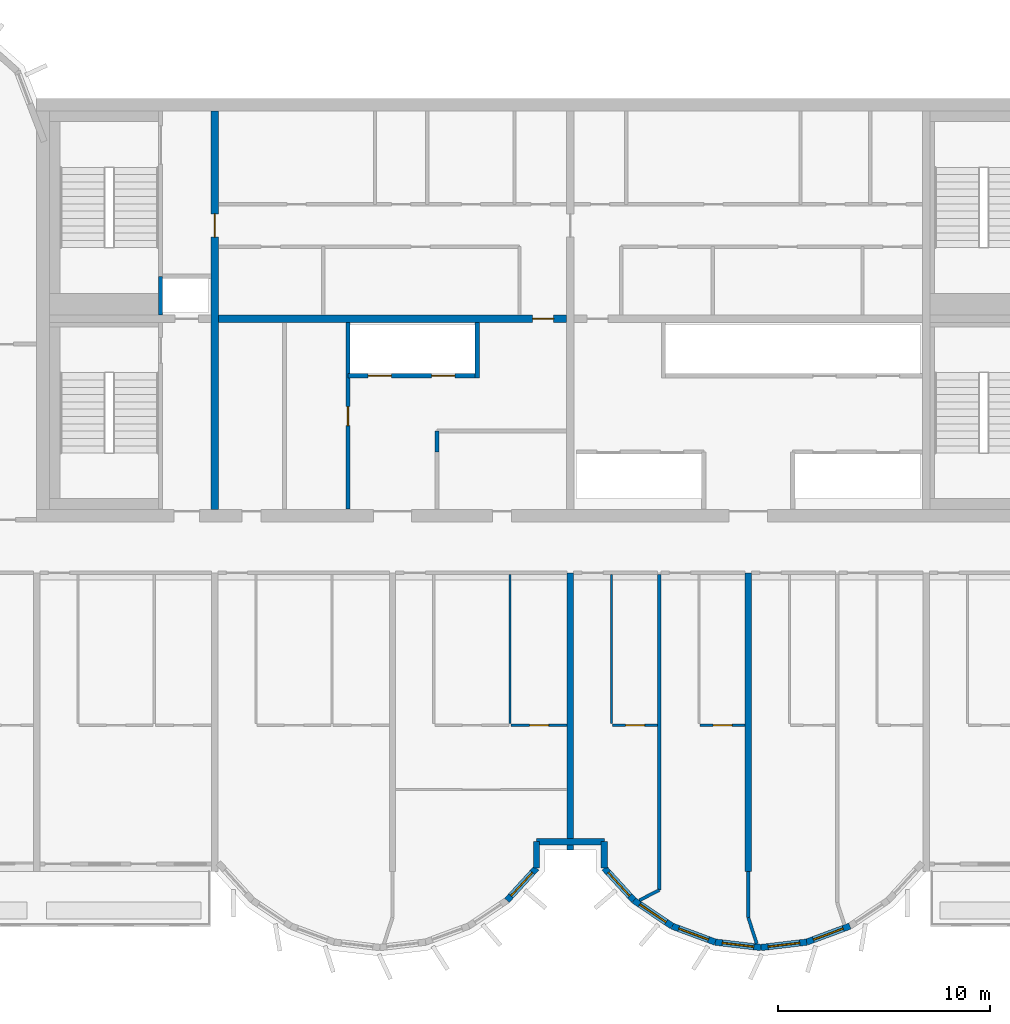
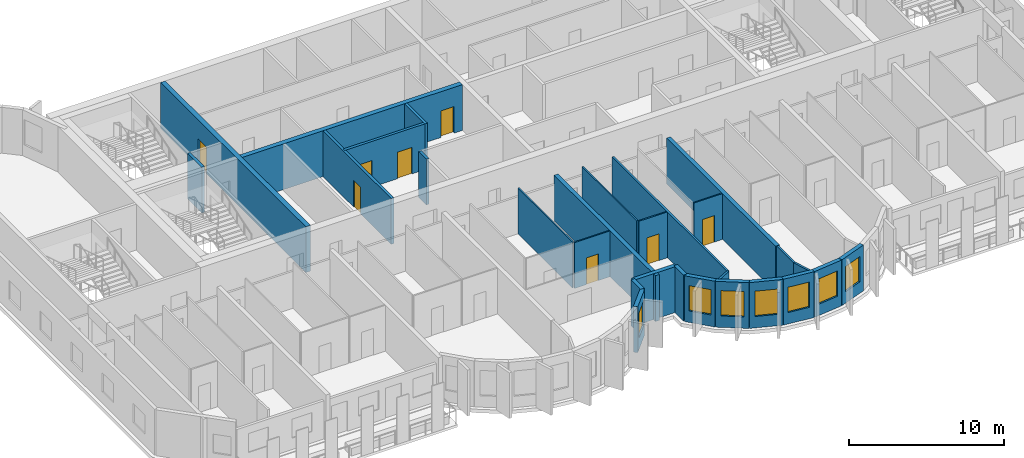
# One storey, part 4 of 11: 28 walls, 8 doors, 7 windows, 15 openings.
"""IFC4 building model written with IfcOpenShell, lengths in metres."""

from ifc_helpers import new_model, si_unit, direction, frame, frame_2d, origin, place, context, subcontext, project, spatial, rectangle, extrude, source, transform, mapped, material, layer, layer_set, type_object, element, fill, save


model = new_model("IFC4")

# Units and contexts
model_context = context("Model", 3, precision=1e-05, world=origin(), true_north=direction((0.0, 1.0)))
body_context = subcontext(model_context, "Body", "Model", "MODEL_VIEW")
ifc_project = project(units=[si_unit("LENGTHUNIT", "METRE"), si_unit("AREAUNIT", "SQUARE_METRE"), si_unit("VOLUMEUNIT", "CUBIC_METRE"), si_unit("PLANEANGLEUNIT", "RADIAN"), si_unit("MASSUNIT", "GRAM", prefix="KILO")], contexts=[model_context])

# Site, building, storey
site_placement = place(None, origin())
site = spatial("IfcSite", under=ifc_project, at=site_placement, CompositionType="ELEMENT")
building_placement = place(site_placement, origin())
building = spatial("IfcBuilding", under=site, at=building_placement, Name="Vanashikhar Sky Hotel", CompositionType="ELEMENT")
storey_placement = place(building_placement, frame((0.0, 0.0, 217.89990234375)))
storey = spatial("IfcBuildingStorey", under=building, at=storey_placement, Name="L52", CompositionType="ELEMENT", Elevation=217.89990234375)

# Wall, opening, door
ifc_material_1 = material(Name="Concrete M60", Category="concrete")
ifc_layer_1 = layer(ifc_material_1, 0.35009765625)
ifc_layer_set_1 = layer_set([ifc_layer_1], Name="RC core inner wall 350 Concrete M60")
wall_type_1 = type_object("IfcWallType", Name="RC core inner wall 350 Concrete M60", PredefinedType="SHEAR", material=ifc_layer_set_1)
shared_shape_1 = source(origin(), body_context, "Body", "SweptSolid", [
    extrude(rectangle(XDim=18.7998046875, YDim=0.35009765625, at=frame_2d((9.39990234375, 0.0))), origin(), (0.0, 0.0, 1.0), 3.6201171875),
])
wall_1_placement = place(storey_placement, frame((33.60009765625, 22.60009765625, 0.0), z_axis=(0.0, 0.0, 1.0), x_axis=(0.0, 1.0, 0.0)))
wall_1 = element("IfcWall", 1, at=wall_1_placement, inside=storey, type_object=wall_type_1, Name="KW-L52-KX1", PredefinedType="SHEAR", context=body_context, shape_type="MappedRepresentation", body=[
    mapped(shared_shape_1, transform((0.0, 0.0, 0.0), scale=1.0)),
])
shared_shape_2 = source(origin(), body_context, "Body", "SweptSolid", [
    extrude(rectangle(XDim=1.10009765625, YDim=2.10009765625, at=frame_2d((0.550048828125, 1.050048828125))), frame((0.0, 0.18505859375, 0.0), z_axis=(0.0, -1.0, 0.0), x_axis=(1.0, 0.0, 0.0)), (0.0, 0.0, 1.0), 0.3701171875),
])
opening_1_placement = place(wall_1_placement, frame((12.85009765625, 0.0, 0.0)))
opening_1 = element("IfcOpeningElement", 2, at=opening_1_placement, cuts=wall_1, Name="Opening DC-4-C", PredefinedType="OPENING", context=body_context, shape_type="MappedRepresentation", body=[
    mapped(shared_shape_2, transform((0.0, 0.0, 0.0), scale=1.0)),
])
ifc_material_2 = material(Name="Steel", Category="steel")
door_type_1 = type_object("IfcDoorType", Name="Service door 1100 FD60", OperationType="NOTDEFINED", PredefinedType="DOOR", material=ifc_material_2)
shared_shape_3 = source(origin(), body_context, "Body", "SweptSolid", [
    extrude(rectangle(XDim=1.10009765625, YDim=2.10009765625, at=frame_2d((0.550048828125, 1.050048828125))), frame((0.0, 0.02490234375, 0.0), z_axis=(0.0, -1.0, 0.0), x_axis=(1.0, 0.0, 0.0)), (0.0, 0.0, 1.0), 0.050048828125),
])
door_1_placement = place(opening_1_placement, origin())
door_1 = element("IfcDoor", 3, at=door_1_placement, inside=storey, type_object=door_type_1, Name="Service door 1100 FD60", OperationType="SINGLE_SWING_RIGHT", OverallHeight=2.10009765625, OverallWidth=1.10009765625, PredefinedType="DOOR", context=body_context, shape_type="MappedRepresentation", body=[
    mapped(shared_shape_3, transform((0.0, 0.0, 0.0), scale=1.0)),
])
fill(opening_1, door_1)

shared_shape_4 = source(origin(), body_context, "Body", "SweptSolid", [
    extrude(rectangle(XDim=16.4501953125, YDim=0.35009765625, at=frame_2d((8.22509765625, 0.0))), origin(), (0.0, 0.0, 1.0), 3.6201171875),
])
wall_2_placement = place(storey_placement, frame((33.77490234375, 31.60009765625, 0.0), z_axis=(0.0, 0.0, 1.0), x_axis=(1.0, 0.0, 0.0)))
wall_2 = element("IfcWall", 4, at=wall_2_placement, inside=storey, type_object=wall_type_1, Name="KW-L52-KY2", PredefinedType="SHEAR", context=body_context, shape_type="MappedRepresentation", body=[
    mapped(shared_shape_4, transform((0.0, 0.0, 0.0), scale=1.0)),
])
shared_shape_5 = source(origin(), body_context, "Body", "SweptSolid", [
    extrude(rectangle(XDim=1.0, YDim=2.10009765625, at=frame_2d((0.5, 1.050048828125))), frame((0.0, 0.18505859375, 0.0), z_axis=(0.0, -1.0, 0.0), x_axis=(1.0, 0.0, 0.0)), (0.0, 0.0, 1.0), 0.3701171875),
])
opening_2_placement = place(wall_2_placement, frame((14.8369140625, 0.0, 0.0)))
opening_2 = element("IfcOpeningElement", 5, at=opening_2_placement, cuts=wall_2, Name="Opening DC-4", PredefinedType="OPENING", context=body_context, shape_type="MappedRepresentation", body=[
    mapped(shared_shape_5, transform((0.0, 0.0, 0.0), scale=1.0)),
])
door_type_2 = type_object("IfcDoorType", Name="Service door 1000 FD60", OperationType="NOTDEFINED", PredefinedType="DOOR", material=ifc_material_2)
shared_shape_6 = source(origin(), body_context, "Body", "SweptSolid", [
    extrude(rectangle(XDim=1.0, YDim=2.10009765625, at=frame_2d((0.5, 1.050048828125))), frame((0.0, 0.02490234375, 0.0), z_axis=(0.0, -1.0, 0.0), x_axis=(1.0, 0.0, 0.0)), (0.0, 0.0, 1.0), 0.050048828125),
])
door_2_placement = place(opening_2_placement, origin())
door_2 = element("IfcDoor", 6, at=door_2_placement, inside=storey, type_object=door_type_2, Name="Service door 1000 FD60", OperationType="SINGLE_SWING_LEFT", OverallHeight=2.10009765625, OverallWidth=1.0, PredefinedType="DOOR", context=body_context, shape_type="MappedRepresentation", body=[
    mapped(shared_shape_6, transform((0.0, 0.0, 0.0), scale=1.0)),
])
fill(opening_2, door_2)

# Walls
ifc_layer_2 = layer(ifc_material_1, 0.300048828125)
ifc_layer_set_2 = layer_set([ifc_layer_2], Name="RC shear wall 300 Concrete M60")
wall_type_2 = type_object("IfcWallType", Name="RC shear wall 300 Concrete M60", PredefinedType="SHEAR", material=ifc_layer_set_2)
shared_shape_7 = source(origin(), body_context, "Body", "SweptSolid", [
    extrude(rectangle(XDim=14.10009765625, YDim=0.300048828125, at=frame_2d((7.050048828125, 0.0))), origin(), (0.0, 0.0, 1.0), 3.6201171875),
])
wall_3_placement = place(storey_placement, frame((58.800048828125, 5.5, 0.0), z_axis=(0.0, 0.0, 1.0), x_axis=(0.0, 1.0, 0.0)))
element("IfcWall", 7, at=wall_3_placement, inside=storey, type_object=wall_type_2, Name="CW-L52-XW08-1", PredefinedType="SHEAR", context=body_context, shape_type="MappedRepresentation", body=[
    mapped(shared_shape_7, transform((0.0, 0.0, 0.0), scale=1.0)),
])
shared_shape_8 = source(origin(), body_context, "Body", "SweptSolid", [
    extrude(rectangle(XDim=13.10009765625, YDim=0.300048828125, at=frame_2d((6.550048828125, 0.0))), origin(), (0.0, 0.0, 1.0), 3.6201171875),
])
wall_4_placement = place(storey_placement, frame((50.39990234375, 6.5, 0.0), z_axis=(0.0, 0.0, 1.0), x_axis=(0.0, 1.0, 0.0)))
element("IfcWall", 8, at=wall_4_placement, inside=storey, type_object=wall_type_2, Name="CW-L52-XW07-1", PredefinedType="SHEAR", context=body_context, shape_type="MappedRepresentation", body=[
    mapped(shared_shape_8, transform((0.0, 0.0, 0.0), scale=1.0)),
])

# Wall, opening, window
ifc_material_3 = material(Name="Concrete M50", Category="concrete")
ifc_layer_3 = layer(ifc_material_3, 0.300048828125)
ifc_layer_set_3 = layer_set([ifc_layer_3], Name="Lobe wall 300")
wall_type_3 = type_object("IfcWallType", Name="Lobe wall 300", PredefinedType="SOLIDWALL", material=ifc_layer_set_3)
shared_shape_9 = source(origin(), body_context, "Body", "SweptSolid", [
    extrude(rectangle(XDim=2.17578125, YDim=0.300048828125, at=frame_2d((1.087890625, 0.0))), origin(), (0.0, 0.0, 1.0), 3.6201171875),
])
wall_5_placement = place(storey_placement, frame((53.395751953125, 4.13134765625, 0.0), z_axis=(0.0, 0.0, 1.0), x_axis=(0.829590746428, -0.558371913192, 0.0)))
wall_5 = element("IfcWall", 9, at=wall_5_placement, inside=storey, type_object=wall_type_3, Name="Lobe wall", PredefinedType="SOLIDWALL", context=body_context, shape_type="MappedRepresentation", body=[
    mapped(shared_shape_9, transform((0.0, 0.0, 0.0), scale=1.0)),
])
shared_shape_10 = source(origin(), body_context, "Body", "SweptSolid", [
    extrude(rectangle(XDim=1.5, YDim=2.0, at=frame_2d((0.75, 1.0))), frame((0.0, 0.16015625, 0.0), z_axis=(0.0, -1.0, 0.0), x_axis=(1.0, 0.0, 0.0)), (0.0, 0.0, 1.0), 0.320068359375),
])
opening_3_placement = place(wall_5_placement, frame((0.337890625, 0.0, 0.89990234375)))
opening_3 = element("IfcOpeningElement", 10, at=opening_3_placement, cuts=wall_5, Name="Opening WN-2", PredefinedType="OPENING", context=body_context, shape_type="MappedRepresentation", body=[
    mapped(shared_shape_10, transform((0.0, 0.0, 0.0), scale=1.0)),
])
ifc_material_4 = material(Name="Glass", Category="glass")
window_type = type_object("IfcWindowType", Name="Lobe window 1500 x 2000", PartitioningType="SINGLE_PANEL", PredefinedType="WINDOW", material=ifc_material_4)
shared_shape_11 = source(origin(), body_context, "Body", "SweptSolid", [
    extrude(rectangle(XDim=1.5, YDim=2.0, at=frame_2d((0.75, 1.0))), frame((0.0, 0.030029296875, 0.0), z_axis=(0.0, -1.0, 0.0), x_axis=(1.0, 0.0, 0.0)), (0.0, 0.0, 1.0), 0.06005859375),
])
window_1_placement = place(opening_3_placement, origin())
window_1 = element("IfcWindow", 11, at=window_1_placement, inside=storey, type_object=window_type, Name="Window WN-2", OverallHeight=2.0, OverallWidth=1.5, PartitioningType="SINGLE_PANEL", PredefinedType="WINDOW", context=body_context, shape_type="MappedRepresentation", body=[
    mapped(shared_shape_11, transform((0.0, 0.0, 0.0), scale=1.0)),
])
fill(opening_3, window_1)

wall_6_placement = place(storey_placement, frame((55.20068359375, 2.91650390625, 0.0), z_axis=(0.0, 0.0, 1.0), x_axis=(0.93754555999, -0.347862505801, 0.0)))
wall_6 = element("IfcWall", 12, at=wall_6_placement, inside=storey, type_object=wall_type_3, Name="Lobe wall", PredefinedType="SOLIDWALL", context=body_context, shape_type="MappedRepresentation", body=[
    mapped(shared_shape_9, transform((0.0, 0.0, 0.0), scale=1.0)),
])
opening_4_placement = place(wall_6_placement, frame((0.337890625, 0.0, 0.89990234375)))
opening_4 = element("IfcOpeningElement", 13, at=opening_4_placement, cuts=wall_6, Name="Opening WN-2", PredefinedType="OPENING", context=body_context, shape_type="MappedRepresentation", body=[
    mapped(shared_shape_10, transform((0.0, 0.0, 0.0), scale=1.0)),
])
window_2_placement = place(opening_4_placement, origin())
window_2 = element("IfcWindow", 14, at=window_2_placement, inside=storey, type_object=window_type, Name="Window WN-2", OverallHeight=2.0, OverallWidth=1.5, PartitioningType="SINGLE_PANEL", PredefinedType="WINDOW", context=body_context, shape_type="MappedRepresentation", body=[
    mapped(shared_shape_11, transform((0.0, 0.0, 0.0), scale=1.0)),
])
fill(opening_4, window_2)

shared_shape_12 = source(origin(), body_context, "Body", "SweptSolid", [
    extrude(rectangle(XDim=2.174560546875, YDim=0.300048828125, at=frame_2d((1.08740234375, 0.0))), origin(), (0.0, 0.0, 1.0), 3.6201171875),
])
wall_7_placement = place(storey_placement, frame((57.240478515625, 2.15966796875, 0.0), z_axis=(0.0, 0.0, 1.0), x_axis=(0.993001132889, -0.118104826659, 0.0)))
wall_7 = element("IfcWall", 15, at=wall_7_placement, inside=storey, type_object=wall_type_3, Name="Lobe wall", PredefinedType="SOLIDWALL", context=body_context, shape_type="MappedRepresentation", body=[
    mapped(shared_shape_12, transform((0.0, 0.0, 0.0), scale=1.0)),
])
opening_5_placement = place(wall_7_placement, frame((0.33740234375, 0.0, 0.89990234375)))
opening_5 = element("IfcOpeningElement", 16, at=opening_5_placement, cuts=wall_7, Name="Opening WN-2", PredefinedType="OPENING", context=body_context, shape_type="MappedRepresentation", body=[
    mapped(shared_shape_10, transform((0.0, 0.0, 0.0), scale=1.0)),
])
window_3_placement = place(opening_5_placement, origin())
window_3 = element("IfcWindow", 17, at=window_3_placement, inside=storey, type_object=window_type, Name="Window WN-2", OverallHeight=2.0, OverallWidth=1.5, PartitioningType="SINGLE_PANEL", PredefinedType="WINDOW", context=body_context, shape_type="MappedRepresentation", body=[
    mapped(shared_shape_11, transform((0.0, 0.0, 0.0), scale=1.0)),
])
fill(opening_5, window_3)

shared_shape_13 = source(origin(), body_context, "Body", "SweptSolid", [
    extrude(rectangle(XDim=2.1748046875, YDim=0.300048828125, at=frame_2d((1.08740234375, 0.0))), origin(), (0.0, 0.0, 1.0), 3.6201171875),
])
wall_8_placement = place(storey_placement, frame((59.39990234375, 1.90283203125, 0.0), z_axis=(0.0, 0.0, 1.0), x_axis=(0.993002698611, 0.118091661648, 0.0)))
wall_8 = element("IfcWall", 18, at=wall_8_placement, inside=storey, type_object=wall_type_3, Name="Lobe wall", PredefinedType="SOLIDWALL", context=body_context, shape_type="MappedRepresentation", body=[
    mapped(shared_shape_13, transform((0.0, 0.0, 0.0), scale=1.0)),
])
opening_6_placement = place(wall_8_placement, frame((0.33740234375, 0.0, 0.89990234375)))
opening_6 = element("IfcOpeningElement", 19, at=opening_6_placement, cuts=wall_8, Name="Opening WN-2", PredefinedType="OPENING", context=body_context, shape_type="MappedRepresentation", body=[
    mapped(shared_shape_10, transform((0.0, 0.0, 0.0), scale=1.0)),
])
window_4_placement = place(opening_6_placement, origin())
window_4 = element("IfcWindow", 20, at=window_4_placement, inside=storey, type_object=window_type, Name="Window WN-2", OverallHeight=2.0, OverallWidth=1.5, PartitioningType="SINGLE_PANEL", PredefinedType="WINDOW", context=body_context, shape_type="MappedRepresentation", body=[
    mapped(shared_shape_11, transform((0.0, 0.0, 0.0), scale=1.0)),
])
fill(opening_6, window_4)

shared_shape_14 = source(origin(), body_context, "Body", "SweptSolid", [
    extrude(rectangle(XDim=2.175537109375, YDim=0.300048828125, at=frame_2d((1.087890625, 0.0))), origin(), (0.0, 0.0, 1.0), 3.6201171875),
])
wall_9_placement = place(storey_placement, frame((61.5595703125, 2.15966796875, 0.0), z_axis=(0.0, 0.0, 1.0), x_axis=(0.937531979054, 0.347899106424, 0.0)))
wall_9 = element("IfcWall", 21, at=wall_9_placement, inside=storey, type_object=wall_type_3, Name="Lobe wall", PredefinedType="SOLIDWALL", context=body_context, shape_type="MappedRepresentation", body=[
    mapped(shared_shape_14, transform((0.0, 0.0, 0.0), scale=1.0)),
])
opening_7_placement = place(wall_9_placement, frame((0.337890625, 0.0, 0.89990234375)))
opening_7 = element("IfcOpeningElement", 22, at=opening_7_placement, cuts=wall_9, Name="Opening WN-2", PredefinedType="OPENING", context=body_context, shape_type="MappedRepresentation", body=[
    mapped(shared_shape_10, transform((0.0, 0.0, 0.0), scale=1.0)),
])
window_5_placement = place(opening_7_placement, origin())
window_5 = element("IfcWindow", 23, at=window_5_placement, inside=storey, type_object=window_type, Name="Window WN-2", OverallHeight=2.0, OverallWidth=1.5, PartitioningType="SINGLE_PANEL", PredefinedType="WINDOW", context=body_context, shape_type="MappedRepresentation", body=[
    mapped(shared_shape_11, transform((0.0, 0.0, 0.0), scale=1.0)),
])
fill(opening_7, window_5)

shared_shape_15 = source(origin(), body_context, "Body", "SweptSolid", [
    extrude(rectangle(XDim=2.066650390625, YDim=0.300048828125, at=frame_2d((1.033203125, 0.0))), origin(), (0.0, 0.0, 1.0), 3.6201171875),
])
wall_10_placement = place(storey_placement, frame((47.404296875, 4.13134765625, 0.0), z_axis=(0.0, 0.0, 1.0), x_axis=(0.675355439877, 0.737492393065, 0.0)))
wall_10 = element("IfcWall", 24, at=wall_10_placement, inside=storey, type_object=wall_type_3, Name="Lobe wall", PredefinedType="SOLIDWALL", context=body_context, shape_type="MappedRepresentation", body=[
    mapped(shared_shape_15, transform((0.0, 0.0, 0.0), scale=1.0)),
])
opening_8_placement = place(wall_10_placement, frame((0.283447265625, 0.0, 0.89990234375)))
opening_8 = element("IfcOpeningElement", 25, at=opening_8_placement, cuts=wall_10, Name="Opening WN-2", PredefinedType="OPENING", context=body_context, shape_type="MappedRepresentation", body=[
    mapped(shared_shape_10, transform((0.0, 0.0, 0.0), scale=1.0)),
])
window_6_placement = place(opening_8_placement, origin())
window_6 = element("IfcWindow", 26, at=window_6_placement, inside=storey, type_object=window_type, Name="Window WN-2", OverallHeight=2.0, OverallWidth=1.5, PartitioningType="SINGLE_PANEL", PredefinedType="WINDOW", context=body_context, shape_type="MappedRepresentation", body=[
    mapped(shared_shape_11, transform((0.0, 0.0, 0.0), scale=1.0)),
])
fill(opening_8, window_6)

wall_11_placement = place(storey_placement, frame((52.0, 5.655517578125, 0.0), z_axis=(0.0, 0.0, 1.0), x_axis=(0.675355439877, -0.737492393065, 0.0)))
wall_11 = element("IfcWall", 27, at=wall_11_placement, inside=storey, type_object=wall_type_3, Name="Lobe wall", PredefinedType="SOLIDWALL", context=body_context, shape_type="MappedRepresentation", body=[
    mapped(shared_shape_15, transform((0.0, 0.0, 0.0), scale=1.0)),
])
opening_9_placement = place(wall_11_placement, frame((0.283447265625, 0.0, 0.89990234375)))
opening_9 = element("IfcOpeningElement", 28, at=opening_9_placement, cuts=wall_11, Name="Opening WN-2", PredefinedType="OPENING", context=body_context, shape_type="MappedRepresentation", body=[
    mapped(shared_shape_10, transform((0.0, 0.0, 0.0), scale=1.0)),
])
window_7_placement = place(opening_9_placement, origin())
window_7 = element("IfcWindow", 29, at=window_7_placement, inside=storey, type_object=window_type, Name="Window WN-2", OverallHeight=2.0, OverallWidth=1.5, PartitioningType="SINGLE_PANEL", PredefinedType="WINDOW", context=body_context, shape_type="MappedRepresentation", body=[
    mapped(shared_shape_11, transform((0.0, 0.0, 0.0), scale=1.0)),
])
fill(opening_9, window_7)

# Walls
shared_shape_16 = source(origin(), body_context, "Body", "SweptSolid", [
    extrude(rectangle(XDim=1.244384765625, YDim=0.300048828125, at=frame_2d((0.6220703125, 0.0))), origin(), (0.0, 0.0, 1.0), 3.6201171875),
])
for number, where, z_axis, x_axis, name in (
    (30, (48.800048828125, 5.655517578125, 0.0), (0.0, 0.0, 1.0), (0.0, 1.0, 0.0), "Groove wall"),
    (31, (52.0, 6.89990234375, 0.0), (0.0, 0.0, 1.0), (0.0, -1.0, 0.0), "Groove wall"),
):
    element("IfcWall", number, at=place(storey_placement, frame(where, z_axis=z_axis, x_axis=x_axis)), inside=storey, type_object=wall_type_3, Name=name, PredefinedType="SOLIDWALL", context=body_context, shape_type="MappedRepresentation", body=[
        mapped(shared_shape_16, transform((0.0, 0.0, 0.0), scale=1.0)),
    ])
shared_shape_17 = source(origin(), body_context, "Body", "SweptSolid", [
    extrude(rectangle(XDim=3.199951171875, YDim=0.300048828125, at=frame_2d((1.60009765625, 0.0))), origin(), (0.0, 0.0, 1.0), 3.6201171875),
])
wall_12_placement = place(storey_placement, frame((48.800048828125, 6.89990234375, 0.0), z_axis=(0.0, 0.0, 1.0), x_axis=(1.0, 0.0, 0.0)))
element("IfcWall", 32, at=wall_12_placement, inside=storey, type_object=wall_type_3, Name="Groove wall", PredefinedType="SOLIDWALL", context=body_context, shape_type="MappedRepresentation", body=[
    mapped(shared_shape_17, transform((0.0, 0.0, 0.0), scale=1.0)),
])

# Wall, openings, doors
ifc_material_5 = material(Name="Concrete M40", Category="concrete")
ifc_layer_4 = layer(ifc_material_5, 0.199951171875)
ifc_layer_set_4 = layer_set([ifc_layer_4], Name="Shaft wall 200")
wall_type_4 = type_object("IfcWallType", Name="Shaft wall 200", PredefinedType="SOLIDWALL", material=ifc_layer_set_4)
shared_shape_18 = source(origin(), body_context, "Body", "SweptSolid", [
    extrude(rectangle(XDim=6.0, YDim=0.199951171875, at=frame_2d((3.0, 0.0))), origin(), (0.0, 0.0, 1.0), 3.6201171875),
])
wall_13_placement = place(storey_placement, frame((39.89990234375, 28.89990234375, 0.0), z_axis=(0.0, 0.0, 1.0), x_axis=(1.0, 0.0, 0.0)))
wall_13 = element("IfcWall", 33, at=wall_13_placement, inside=storey, type_object=wall_type_4, Name="Shaft wall 200", PredefinedType="SOLIDWALL", context=body_context, shape_type="MappedRepresentation", body=[
    mapped(shared_shape_18, transform((0.0, 0.0, 0.0), scale=1.0)),
])
shared_shape_19 = source(origin(), body_context, "Body", "SweptSolid", [
    extrude(rectangle(XDim=1.10009765625, YDim=2.10009765625, at=frame_2d((0.550048828125, 1.050048828125))), frame((0.0, 0.10986328125, 0.0), z_axis=(0.0, -1.0, 0.0), x_axis=(1.0, 0.0, 0.0)), (0.0, 0.0, 1.0), 0.219970703125),
])
opening_10_placement = place(wall_13_placement, frame((0.949951171875, 0.0, 0.0)))
opening_10 = element("IfcOpeningElement", 34, at=opening_10_placement, cuts=wall_13, Name="Opening LD", PredefinedType="OPENING", context=body_context, shape_type="MappedRepresentation", body=[
    mapped(shared_shape_19, transform((0.0, 0.0, 0.0), scale=1.0)),
])
opening_11_placement = place(wall_13_placement, frame((3.949951171875, 0.0, 0.0)))
opening_11 = element("IfcOpeningElement", 35, at=opening_11_placement, cuts=wall_13, Name="Opening LD", PredefinedType="OPENING", context=body_context, shape_type="MappedRepresentation", body=[
    mapped(shared_shape_19, transform((0.0, 0.0, 0.0), scale=1.0)),
])
ifc_material_6 = material(Name="Stainless steel", Category="steel")
door_type_3 = type_object("IfcDoorType", Name="Lift landing door 1100", OperationType="NOTDEFINED", PredefinedType="DOOR", material=ifc_material_6)
door_3_placement = place(opening_10_placement, origin())
door_3 = element("IfcDoor", 36, at=door_3_placement, inside=storey, type_object=door_type_3, Name="Lift landing door 1100", OperationType="SLIDING_TO_LEFT", OverallHeight=2.10009765625, OverallWidth=1.10009765625, PredefinedType="DOOR", context=body_context, shape_type="MappedRepresentation", body=[
    mapped(shared_shape_3, transform((0.0, 0.0, 0.0), scale=1.0)),
])
fill(opening_10, door_3)
door_4_placement = place(opening_11_placement, origin())
door_4 = element("IfcDoor", 37, at=door_4_placement, inside=storey, type_object=door_type_3, Name="Lift landing door 1100", OperationType="SLIDING_TO_RIGHT", OverallHeight=2.10009765625, OverallWidth=1.10009765625, PredefinedType="DOOR", context=body_context, shape_type="MappedRepresentation", body=[
    mapped(shared_shape_3, transform((0.0, 0.0, 0.0), scale=1.0)),
])
fill(opening_11, door_4)

# Wall, opening, door
ifc_material_7 = material(Name="Gypsum board partition")
ifc_layer_5 = layer(ifc_material_7, 0.14990234375)
ifc_layer_set_5 = layer_set([ifc_layer_5], Name="Service partition 150")
wall_type_5 = type_object("IfcWallType", Name="Service partition 150", PredefinedType="PARTITIONING", material=ifc_layer_set_5)
shared_shape_20 = source(origin(), body_context, "Body", "SweptSolid", [
    extrude(rectangle(XDim=8.824951171875, YDim=0.199951171875, at=frame_2d((4.41259765625, 0.0))), origin(), (0.0, 0.0, 1.0), 3.6201171875),
])
wall_14_placement = place(storey_placement, frame((39.89990234375, 22.60009765625, 0.0), z_axis=(0.0, 0.0, 1.0), x_axis=(0.0, 1.0, 0.0)))
wall_14 = element("IfcWall", 38, at=wall_14_placement, inside=storey, type_object=wall_type_5, Name="Service partition 150", PredefinedType="PARTITIONING", context=body_context, shape_type="MappedRepresentation", body=[
    mapped(shared_shape_20, transform((0.0, 0.0, 0.0), scale=1.0)),
])
shared_shape_21 = source(origin(), body_context, "Body", "SweptSolid", [
    extrude(rectangle(XDim=0.89990234375, YDim=2.10009765625, at=frame_2d((0.449951171875, 1.050048828125))), frame((0.0, 0.10986328125, 0.0), z_axis=(0.0, -1.0, 0.0), x_axis=(1.0, 0.0, 0.0)), (0.0, 0.0, 1.0), 0.219970703125),
])
opening_12_placement = place(wall_14_placement, frame((3.949951171875, 0.0, 0.0)))
opening_12 = element("IfcOpeningElement", 39, at=opening_12_placement, cuts=wall_14, Name="Opening DC-4-A", PredefinedType="OPENING", context=body_context, shape_type="MappedRepresentation", body=[
    mapped(shared_shape_21, transform((0.0, 0.0, 0.0), scale=1.0)),
])
door_type_4 = type_object("IfcDoorType", Name="Service door 900 FD60", OperationType="NOTDEFINED", PredefinedType="DOOR", material=ifc_material_2)
shared_shape_22 = source(origin(), body_context, "Body", "SweptSolid", [
    extrude(rectangle(XDim=0.89990234375, YDim=2.10009765625, at=frame_2d((0.449951171875, 1.050048828125))), frame((0.0, 0.02490234375, 0.0), z_axis=(0.0, -1.0, 0.0), x_axis=(1.0, 0.0, 0.0)), (0.0, 0.0, 1.0), 0.050048828125),
])
door_5_placement = place(opening_12_placement, origin())
door_5 = element("IfcDoor", 40, at=door_5_placement, inside=storey, type_object=door_type_4, Name="Service door 900 FD60", OperationType="SINGLE_SWING_LEFT", OverallHeight=2.10009765625, OverallWidth=0.89990234375, PredefinedType="DOOR", context=body_context, shape_type="MappedRepresentation", body=[
    mapped(shared_shape_22, transform((0.0, 0.0, 0.0), scale=1.0)),
])
fill(opening_12, door_5)

# Walls
shared_shape_23 = source(origin(), body_context, "Body", "SweptSolid", [
    extrude(rectangle(XDim=2.625, YDim=0.199951171875, at=frame_2d((1.3125, 0.0))), origin(), (0.0, 0.0, 1.0), 3.6201171875),
])
wall_15_placement = place(storey_placement, frame((46.0, 28.800048828125, 0.0), z_axis=(0.0, 0.0, 1.0), x_axis=(0.0, 1.0, 0.0)))
element("IfcWall", 41, at=wall_15_placement, inside=storey, type_object=wall_type_4, Name="Shaft wall 200", PredefinedType="SOLIDWALL", context=body_context, shape_type="MappedRepresentation", body=[
    mapped(shared_shape_23, transform((0.0, 0.0, 0.0), scale=1.0)),
])
shared_shape_24 = source(origin(), body_context, "Body", "SweptSolid", [
    extrude(rectangle(XDim=1.0, YDim=0.199951171875, at=frame_2d((0.5, 0.0))), origin(), (0.0, 0.0, 1.0), 3.6201171875),
])
wall_16_placement = place(storey_placement, frame((44.10009765625, 25.300048828125, 0.0), z_axis=(0.0, 0.0, 1.0), x_axis=(0.0, 1.0, 0.0)))
element("IfcWall", 42, at=wall_16_placement, inside=storey, type_object=wall_type_5, Name="Service partition 150", PredefinedType="PARTITIONING", context=body_context, shape_type="MappedRepresentation", body=[
    mapped(shared_shape_24, transform((0.0, 0.0, 0.0), scale=1.0)),
])
shared_shape_25 = source(origin(), body_context, "Body", "SweptSolid", [
    extrude(rectangle(XDim=1.8251953125, YDim=0.199951171875, at=frame_2d((0.91259765625, 0.0))), origin(), (0.0, 0.0, 1.0), 3.6201171875),
])
wall_17_placement = place(storey_placement, frame((31.050048828125, 31.77490234375, 0.0), z_axis=(0.0, 0.0, 1.0), x_axis=(0.0, 1.0, 0.0)))
element("IfcWall", 43, at=wall_17_placement, inside=storey, type_object=wall_type_4, Name="Shaft wall 200", PredefinedType="SOLIDWALL", context=body_context, shape_type="MappedRepresentation", body=[
    mapped(shared_shape_25, transform((0.0, 0.0, 0.0), scale=1.0)),
])
ifc_material_8 = material(Name="Gypsum plasterboard partition")
ifc_layer_6 = layer(ifc_material_8, 0.10009765625)
ifc_layer_set_6 = layer_set([ifc_layer_6], Name="Wet room partition 100")
wall_type_6 = type_object("IfcWallType", Name="Wet room partition 100", PredefinedType="PARTITIONING", material=ifc_layer_set_6)
shared_shape_26 = source(origin(), body_context, "Body", "SweptSolid", [
    extrude(rectangle(XDim=7.0498046875, YDim=0.10009765625, at=frame_2d((3.52490234375, 0.0))), origin(), (0.0, 0.0, 1.0), 3.6201171875),
])
for number, where, z_axis, x_axis, name in (
    (44, (47.550048828125, 12.47509765625, 0.0), (0.0, 0.0, 1.0), (0.0, 1.0, 0.0), "W-L52-PW019"),
    (45, (52.35009765625, 12.47509765625, 0.0), (0.0, 0.0, 1.0), (0.0, 1.0, 0.0), "W-L52-PW024"),
):
    element("IfcWall", number, at=place(storey_placement, frame(where, z_axis=z_axis, x_axis=x_axis)), inside=storey, type_object=wall_type_6, Name=name, PredefinedType="PARTITIONING", context=body_context, shape_type="MappedRepresentation", body=[
        mapped(shared_shape_26, transform((0.0, 0.0, 0.0), scale=1.0)),
    ])

# Wall, opening, door
shared_shape_27 = source(origin(), body_context, "Body", "SweptSolid", [
    extrude(rectangle(XDim=2.125, YDim=0.10009765625, at=frame_2d((1.0625, 0.0))), origin(), (0.0, 0.0, 1.0), 3.6201171875),
])
wall_18_placement = place(storey_placement, frame((52.39990234375, 12.39990234375, 0.0), z_axis=(0.0, 0.0, 1.0), x_axis=(1.0, 0.0, 0.0)))
wall_18 = element("IfcWall", 46, at=wall_18_placement, inside=storey, type_object=wall_type_6, Name="W-L52-PW025", PredefinedType="PARTITIONING", context=body_context, shape_type="MappedRepresentation", body=[
    mapped(shared_shape_27, transform((0.0, 0.0, 0.0), scale=1.0)),
])
shared_shape_28 = source(origin(), body_context, "Body", "SweptSolid", [
    extrude(rectangle(XDim=0.89990234375, YDim=2.10009765625, at=frame_2d((0.449951171875, 1.050048828125))), frame((0.0, 0.06005859375, 0.0), z_axis=(0.0, -1.0, 0.0), x_axis=(1.0, 0.0, 0.0)), (0.0, 0.0, 1.0), 0.1201171875),
])
opening_13_placement = place(wall_18_placement, frame((0.612060546875, 0.0, 0.0)))
opening_13 = element("IfcOpeningElement", 47, at=opening_13_placement, cuts=wall_18, Name="Opening D-02", PredefinedType="OPENING", context=body_context, shape_type="MappedRepresentation", body=[
    mapped(shared_shape_28, transform((0.0, 0.0, 0.0), scale=1.0)),
])
ifc_material_9 = material(Name="Timber door", Category="wood")
door_type_5 = type_object("IfcDoorType", Name="Internal door 900", OperationType="NOTDEFINED", PredefinedType="DOOR", material=ifc_material_9)
door_6_placement = place(opening_13_placement, origin())
door_6 = element("IfcDoor", 48, at=door_6_placement, inside=storey, type_object=door_type_5, Name="D-L52-015", OperationType="SINGLE_SWING_LEFT", OverallHeight=2.10009765625, OverallWidth=0.89990234375, PredefinedType="DOOR", context=body_context, shape_type="MappedRepresentation", body=[
    mapped(shared_shape_22, transform((0.0, 0.0, 0.0), scale=1.0)),
])
fill(opening_13, door_6)

wall_19_placement = place(storey_placement, frame((56.52490234375, 12.39990234375, 0.0), z_axis=(0.0, 0.0, 1.0), x_axis=(1.0, 0.0, 0.0)))
wall_19 = element("IfcWall", 49, at=wall_19_placement, inside=storey, type_object=wall_type_6, Name="W-L52-PW028", PredefinedType="PARTITIONING", context=body_context, shape_type="MappedRepresentation", body=[
    mapped(shared_shape_27, transform((0.0, 0.0, 0.0), scale=1.0)),
])
opening_14_placement = place(wall_19_placement, frame((0.612060546875, 0.0, 0.0)))
opening_14 = element("IfcOpeningElement", 50, at=opening_14_placement, cuts=wall_19, Name="Opening D-02", PredefinedType="OPENING", context=body_context, shape_type="MappedRepresentation", body=[
    mapped(shared_shape_28, transform((0.0, 0.0, 0.0), scale=1.0)),
])
door_7_placement = place(opening_14_placement, origin())
door_7 = element("IfcDoor", 51, at=door_7_placement, inside=storey, type_object=door_type_5, Name="D-L52-017", OperationType="SINGLE_SWING_LEFT", OverallHeight=2.10009765625, OverallWidth=0.89990234375, PredefinedType="DOOR", context=body_context, shape_type="MappedRepresentation", body=[
    mapped(shared_shape_22, transform((0.0, 0.0, 0.0), scale=1.0)),
])
fill(opening_14, door_7)

shared_shape_29 = source(origin(), body_context, "Body", "SweptSolid", [
    extrude(rectangle(XDim=2.64990234375, YDim=0.10009765625, at=frame_2d((1.324951171875, 0.0))), origin(), (0.0, 0.0, 1.0), 3.6201171875),
])
wall_20_placement = place(storey_placement, frame((47.60009765625, 12.39990234375, 0.0), z_axis=(0.0, 0.0, 1.0), x_axis=(1.0, 0.0, 0.0)))
wall_20 = element("IfcWall", 52, at=wall_20_placement, inside=storey, type_object=wall_type_6, Name="W-L52-PW021", PredefinedType="PARTITIONING", context=body_context, shape_type="MappedRepresentation", body=[
    mapped(shared_shape_29, transform((0.0, 0.0, 0.0), scale=1.0)),
])
opening_15_placement = place(wall_20_placement, frame((0.875, 0.0, 0.0)))
opening_15 = element("IfcOpeningElement", 53, at=opening_15_placement, cuts=wall_20, Name="Opening D-02", PredefinedType="OPENING", context=body_context, shape_type="MappedRepresentation", body=[
    mapped(shared_shape_28, transform((0.0, 0.0, 0.0), scale=1.0)),
])
door_8_placement = place(opening_15_placement, origin())
door_8 = element("IfcDoor", 54, at=door_8_placement, inside=storey, type_object=door_type_5, Name="D-L52-012", OperationType="SINGLE_SWING_LEFT", OverallHeight=2.10009765625, OverallWidth=0.89990234375, PredefinedType="DOOR", context=body_context, shape_type="MappedRepresentation", body=[
    mapped(shared_shape_22, transform((0.0, 0.0, 0.0), scale=1.0)),
])
fill(opening_15, door_8)

# Walls
ifc_layer_7 = layer(ifc_material_8, 0.14990234375)
ifc_layer_set_7 = layer_set([ifc_layer_7], Name="Corridor and demising partition 150")
wall_type_7 = type_object("IfcWallType", Name="Corridor and demising partition 150", PredefinedType="PARTITIONING", material=ifc_layer_set_7)
shared_shape_30 = source(origin(), body_context, "Body", "SweptSolid", [
    extrude(rectangle(XDim=14.906005859375, YDim=0.14990234375, at=frame_2d((7.453125, 0.0))), origin(), (0.0, 0.0, 1.0), 3.6201171875),
])
wall_21_placement = place(storey_placement, frame((54.60009765625, 4.618896484375, 0.0), z_axis=(0.0, 0.0, 1.0), x_axis=(0.0, 1.0, 0.0)))
element("IfcWall", 55, at=wall_21_placement, inside=storey, type_object=wall_type_7, Name="W-L52-PW030", PredefinedType="PARTITIONING", context=body_context, shape_type="MappedRepresentation", body=[
    mapped(shared_shape_30, transform((0.0, 0.0, 0.0), scale=1.0)),
])
shared_shape_31 = source(origin(), body_context, "Body", "SweptSolid", [
    extrude(rectangle(XDim=2.177978515625, YDim=0.14990234375, at=frame_2d((1.0888671875, 0.0))), origin(), (0.0, 0.0, 1.0), 3.6201171875),
])
wall_22_placement = place(storey_placement, frame((58.800048828125, 3.322021484375, 0.0), z_axis=(0.0, 0.0, 1.0), x_axis=(0.0, 1.0, 0.0)))
element("IfcWall", 56, at=wall_22_placement, inside=storey, type_object=wall_type_7, Name="W-L52-PW051", PredefinedType="PARTITIONING", context=body_context, shape_type="MappedRepresentation", body=[
    mapped(shared_shape_31, transform((0.0, 0.0, 0.0), scale=1.0)),
])
shared_shape_32 = source(origin(), body_context, "Body", "SweptSolid", [
    extrude(rectangle(XDim=1.057861328125, YDim=0.14990234375, at=frame_2d((0.52880859375, 0.0))), origin(), (0.0, 0.0, 1.0), 3.6201171875),
])
wall_23_placement = place(storey_placement, frame((53.659912109375, 4.134033203125, 0.0), z_axis=(0.0, 0.0, 1.0), x_axis=(0.888772319209, 0.458348955063, 0.0)))
element("IfcWall", 57, at=wall_23_placement, inside=storey, type_object=wall_type_7, Name="W-L52-PW030B0", PredefinedType="PARTITIONING", context=body_context, shape_type="MappedRepresentation", body=[
    mapped(shared_shape_32, transform((0.0, 0.0, 0.0), scale=1.0)),
])
shared_shape_33 = source(origin(), body_context, "Body", "SweptSolid", [
    extrude(rectangle(XDim=1.308349609375, YDim=0.14990234375, at=frame_2d((0.654296875, 0.0))), origin(), (0.0, 0.0, 1.0), 3.6201171875),
])
wall_24_placement = place(storey_placement, frame((59.201904296875, 2.076904296875, 0.0), z_axis=(0.0, 0.0, 1.0), x_axis=(-0.307144529633, 0.951662880392, 0.0)))
element("IfcWall", 58, at=wall_24_placement, inside=storey, type_object=wall_type_7, Name="W-L52-PW051B0", PredefinedType="PARTITIONING", context=body_context, shape_type="MappedRepresentation", body=[
    mapped(shared_shape_33, transform((0.0, 0.0, 0.0), scale=1.0)),
])

save(model, "model.ifc")
